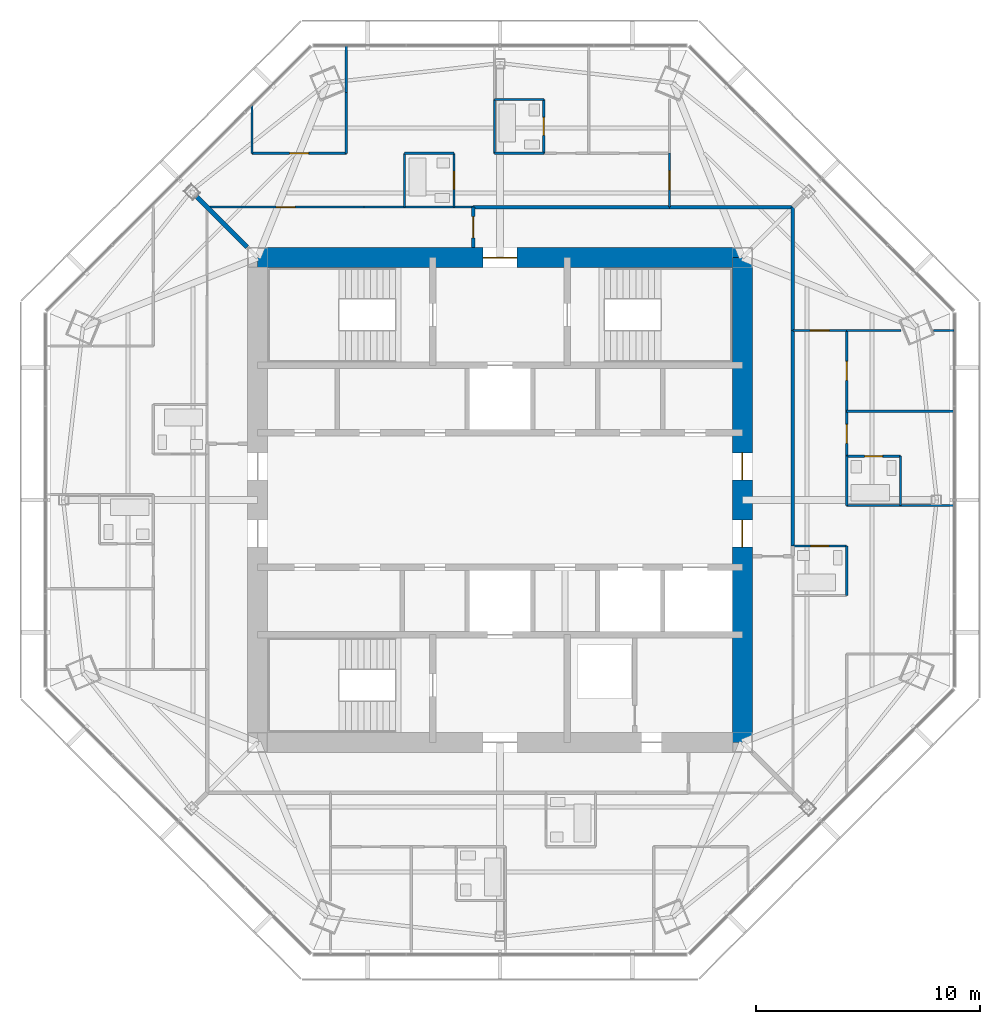
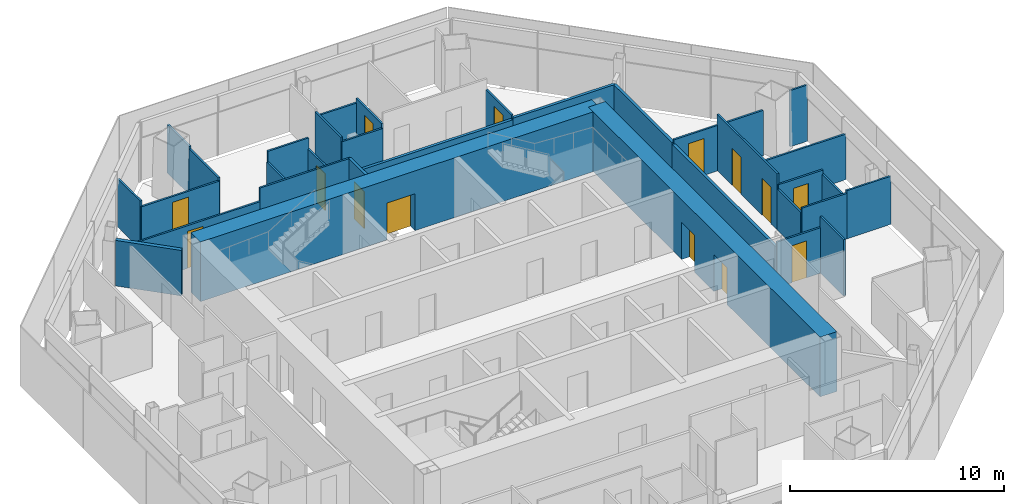
# One storey, part 12 of 15: 34 walls, 14 doors, 14 openings.
"""IFC4 building model written with IfcOpenShell, lengths in metres."""

from ifc_helpers import new_model, si_unit, direction, frame, frame_2d, origin, place, context, subcontext, project, spatial, rectangle, extrude, material, layer, layer_set, type_object, element, fill, save


model = new_model("IFC4")

# Units and contexts
model_context = context("Model", 3, precision=1e-05, world=origin(), true_north=direction((0.0, 1.0)))
body_context = subcontext(model_context, "Body", "Model", "MODEL_VIEW")
ifc_project = project(units=[si_unit("LENGTHUNIT", "METRE"), si_unit("AREAUNIT", "SQUARE_METRE"), si_unit("VOLUMEUNIT", "CUBIC_METRE"), si_unit("PLANEANGLEUNIT", "RADIAN"), si_unit("MASSUNIT", "GRAM", prefix="KILO")], contexts=[model_context])

# Site, building, storey
site_placement = place(None, origin())
site = spatial("IfcSite", under=ifc_project, at=site_placement, CompositionType="ELEMENT")
building_placement = place(site_placement, origin())
building = spatial("IfcBuilding", under=site, at=building_placement, Name="Mashrafa Tower", CompositionType="ELEMENT")
storey_placement = place(building_placement, frame((0.0, 0.0, 274.199951171875)))
storey = spatial("IfcBuildingStorey", under=building, at=storey_placement, Name="L66", CompositionType="ELEMENT", Elevation=274.199951171875)

# Wall
ifc_material_1 = material(Name="Gypsum board on steel studs", Category="steel")
ifc_layer_1 = layer(ifc_material_1, 0.199951171875)
ifc_layer_set_1 = layer_set([ifc_layer_1], Name="Acoustic partition 200 1 hr")
wall_type_1 = type_object("IfcWallType", Name="Acoustic partition 200 1 hr", PredefinedType="PARTITIONING", material=ifc_layer_set_1)
wall_1_placement = place(storey_placement, frame((-13.518310546875, 13.518310546875, 0.0), z_axis=(0.0, 0.0, 1.0), x_axis=(0.707106781187, -0.707106781187, 0.0)))
element("IfcWall", 1, at=wall_1_placement, inside=storey, type_object=wall_type_1, Name="Acoustic wall L66-067", PredefinedType="PARTITIONING", context=body_context, shape_type="SweptSolid", body=[
    extrude(rectangle(XDim=3.180908203125, YDim=0.199951171875, at=frame_2d((1.59033203125, 0.0))), origin(), (0.0, 0.0, 1.0), 2.590576171875),
])

# Wall, openings, doors
ifc_material_2 = material(Name="Concrete C50/60", Category="concrete")
ifc_layer_2 = layer(ifc_material_2, 0.89990234375)
ifc_layer_set_2 = layer_set([ifc_layer_2], Name="Core wall 900 C50/60")
wall_type_2 = type_object("IfcWallType", Name="Core wall 900 C50/60", PredefinedType="SOLIDWALL", material=ifc_layer_set_2)
wall_2_placement = place(storey_placement, frame((10.800048828125, -10.800048828125, 0.0), z_axis=(0.0, 0.0, 1.0), x_axis=(0.0, 1.0, 0.0)))
wall_2 = element("IfcWall", 2, at=wall_2_placement, inside=storey, type_object=wall_type_2, Name="Core wall CW-E L66", PredefinedType="SOLIDWALL", context=body_context, shape_type="SweptSolid", body=[
    extrude(rectangle(XDim=21.60009765625, YDim=0.89990234375, at=frame_2d((10.800048828125, 0.0))), origin(), (0.0, 0.0, 1.0), 3.400146484375),
])
opening_1_placement = place(wall_2_placement, frame((11.699951171875, 0.0, 0.0)))
opening_1 = element("IfcOpeningElement", 3, at=opening_1_placement, cuts=wall_2, Name="Opening 66.033", PredefinedType="OPENING", context=body_context, shape_type="SweptSolid", body=[
    extrude(rectangle(XDim=1.199951171875, YDim=2.10009765625, at=frame_2d((0.60009765625, 1.050048828125))), frame((0.0, 0.4599609375, 0.0), z_axis=(0.0, -1.0, 0.0), x_axis=(1.0, 0.0, 0.0)), (0.0, 0.0, 1.0), 0.919921875),
])
opening_2_placement = place(wall_2_placement, frame((8.699951171875, 0.0, 0.0)))
opening_2 = element("IfcOpeningElement", 4, at=opening_2_placement, cuts=wall_2, Name="Opening 66.035", PredefinedType="OPENING", context=body_context, shape_type="SweptSolid", body=[
    extrude(rectangle(XDim=1.199951171875, YDim=2.10009765625, at=frame_2d((0.60009765625, 1.050048828125))), frame((0.0, 0.4599609375, 0.0), z_axis=(0.0, -1.0, 0.0), x_axis=(1.0, 0.0, 0.0)), (0.0, 0.0, 1.0), 0.919921875),
])
ifc_material_3 = material(Name="Steel door", Category="steel")
door_type_1 = type_object("IfcDoorType", Name="Lift hall door 1200 x 2100 90 min", OperationType="USERDEFINED", PredefinedType="DOOR", material=ifc_material_3)
door_1_placement = place(opening_1_placement, frame((1.199951171875, 0.0, 0.0), z_axis=(0.0, 0.0, 1.0), x_axis=(-1.0, 0.0, 0.0)))
door_1 = element("IfcDoor", 5, at=door_1_placement, inside=storey, type_object=door_type_1, Name="Lift hall door east L66", OperationType="SINGLE_SWING_RIGHT", OverallHeight=2.10009765625, OverallWidth=1.199951171875, PredefinedType="DOOR", context=body_context, shape_type="SweptSolid", body=[
    extrude(rectangle(XDim=1.199951171875, YDim=2.10009765625, at=frame_2d((0.60009765625, 1.050048828125))), frame((0.0, 0.02490234375, 0.0), z_axis=(0.0, -1.0, 0.0), x_axis=(1.0, 0.0, 0.0)), (0.0, 0.0, 1.0), 0.050048828125),
])
fill(opening_1, door_1)
door_2_placement = place(opening_2_placement, origin())
door_2 = element("IfcDoor", 6, at=door_2_placement, inside=storey, type_object=door_type_1, Name="Lift hall door east L66", OperationType="SINGLE_SWING_LEFT", OverallHeight=2.10009765625, OverallWidth=1.199951171875, PredefinedType="DOOR", context=body_context, shape_type="SweptSolid", body=[
    extrude(rectangle(XDim=1.199951171875, YDim=2.10009765625, at=frame_2d((0.60009765625, 1.050048828125))), frame((0.0, 0.02490234375, 0.0), z_axis=(0.0, -1.0, 0.0), x_axis=(1.0, 0.0, 0.0)), (0.0, 0.0, 1.0), 0.050048828125),
])
fill(opening_2, door_2)

# Wall, opening, door
wall_3_placement = place(storey_placement, frame((10.800048828125, 10.800048828125, 0.0), z_axis=(0.0, 0.0, 1.0), x_axis=(-1.0, 0.0, 0.0)))
wall_3 = element("IfcWall", 7, at=wall_3_placement, inside=storey, type_object=wall_type_2, Name="Core wall CW-N L66", PredefinedType="SOLIDWALL", context=body_context, shape_type="SweptSolid", body=[
    extrude(rectangle(XDim=21.60009765625, YDim=0.89990234375, at=frame_2d((10.800048828125, 0.0))), origin(), (0.0, 0.0, 1.0), 3.400146484375),
])
opening_3_placement = place(wall_3_placement, frame((10.050048828125, 0.0, 0.0)))
opening_3 = element("IfcOpeningElement", 8, at=opening_3_placement, cuts=wall_3, Name="Opening 66.037", PredefinedType="OPENING", context=body_context, shape_type="SweptSolid", body=[
    extrude(rectangle(XDim=1.5, YDim=2.10009765625, at=frame_2d((0.75, 1.050048828125))), frame((0.0, 0.4599609375, 0.0), z_axis=(0.0, -1.0, 0.0), x_axis=(1.0, 0.0, 0.0)), (0.0, 0.0, 1.0), 0.919921875),
])
ifc_material_4 = material(Name="Steel door", Category="steel")
door_type_2 = type_object("IfcDoorType", Name="Lobby door pair 1500 x 2100 90 min", OperationType="DOUBLE_DOOR_SINGLE_SWING", PredefinedType="DOOR", material=ifc_material_4)
door_3_placement = place(opening_3_placement, origin())
door_3 = element("IfcDoor", 9, at=door_3_placement, inside=storey, type_object=door_type_2, Name="Fire-fighting lobby F1 door L66", OperationType="DOUBLE_DOOR_SINGLE_SWING", OverallHeight=2.10009765625, OverallWidth=1.5, PredefinedType="DOOR", context=body_context, shape_type="SweptSolid", body=[
    extrude(rectangle(XDim=1.5, YDim=2.10009765625, at=frame_2d((0.75, 1.050048828125))), frame((0.0, 0.02490234375, 0.0), z_axis=(0.0, -1.0, 0.0), x_axis=(1.0, 0.0, 0.0)), (0.0, 0.0, 1.0), 0.050048828125),
])
fill(opening_3, door_3)

# Walls
ifc_material_5 = material(Name="Gypsum board on steel studs", Category="steel")
ifc_layer_3 = layer(ifc_material_5, 0.14990234375)
ifc_layer_set_3 = layer_set([ifc_layer_3], Name="Corridor partition 150 1 hr")
wall_type_3 = type_object("IfcWallType", Name="Corridor partition 150 1 hr", PredefinedType="PARTITIONING", material=ifc_layer_set_3)
wall_4_placement = place(storey_placement, frame((13.050048828125, 7.549072265625, 0.0), z_axis=(0.0, 0.0, 1.0), x_axis=(0.0, 1.0, 0.0)))
element("IfcWall", 10, at=wall_4_placement, inside=storey, type_object=wall_type_3, Name="Corridor wall L66-002", PredefinedType="PARTITIONING", context=body_context, shape_type="SweptSolid", body=[
    extrude(rectangle(XDim=5.5009765625, YDim=0.14990234375, at=frame_2d((2.75048828125, 0.0))), origin(), (0.0, 0.0, 1.0), 2.427978515625),
])
wall_5_placement = place(storey_placement, frame((13.050048828125, -2.051025390625, 0.0), z_axis=(0.0, 0.0, 1.0), x_axis=(0.0, 1.0, 0.0)))
element("IfcWall", 11, at=wall_5_placement, inside=storey, type_object=wall_type_3, Name="Corridor wall L66-003", PredefinedType="PARTITIONING", context=body_context, shape_type="SweptSolid", body=[
    extrude(rectangle(XDim=9.60205078125, YDim=0.14990234375, at=frame_2d((4.801025390625, 0.0))), origin(), (0.0, 0.0, 1.0), 2.34423828125),
])
wall_6_placement = place(storey_placement, frame((13.050048828125, 13.050048828125, 0.0), z_axis=(0.0, 0.0, 1.0), x_axis=(-1.0, 0.0, 0.0)))
element("IfcWall", 12, at=wall_6_placement, inside=storey, type_object=wall_type_3, Name="Corridor wall L66-004", PredefinedType="PARTITIONING", context=body_context, shape_type="SweptSolid", body=[
    extrude(rectangle(XDim=5.5009765625, YDim=0.14990234375, at=frame_2d((2.75048828125, 0.0))), origin(), (0.0, 0.0, 1.0), 2.427978515625),
])
wall_7_placement = place(storey_placement, frame((7.551025390625, 13.050048828125, 0.0), z_axis=(0.0, 0.0, 1.0), x_axis=(-1.0, 0.0, 0.0)))
element("IfcWall", 13, at=wall_7_placement, inside=storey, type_object=wall_type_3, Name="Corridor wall L66-005", PredefinedType="PARTITIONING", context=body_context, shape_type="SweptSolid", body=[
    extrude(rectangle(XDim=8.7509765625, YDim=0.14990234375, at=frame_2d((4.37548828125, 0.0))), origin(), (0.0, 0.0, 1.0), 2.34423828125),
])

# Wall, opening, door
wall_8_placement = place(storey_placement, frame((-1.199951171875, 13.050048828125, 0.0), z_axis=(0.0, 0.0, 1.0), x_axis=(0.0, -1.0, 0.0)))
wall_8 = element("IfcWall", 14, at=wall_8_placement, inside=storey, type_object=wall_type_3, Name="Corridor wall L66-007", PredefinedType="PARTITIONING", context=body_context, shape_type="SweptSolid", body=[
    extrude(rectangle(XDim=1.800048828125, YDim=0.14990234375, at=frame_2d((0.89990234375, 0.0))), origin(), (0.0, 0.0, 1.0), 3.199951171875),
])
opening_4_placement = place(wall_8_placement, frame((0.425048828125, 0.0, 0.0)))
opening_4 = element("IfcOpeningElement", 15, at=opening_4_placement, cuts=wall_8, Name="Opening 66.031", PredefinedType="OPENING", context=body_context, shape_type="SweptSolid", body=[
    extrude(rectangle(XDim=0.949951171875, YDim=2.10009765625, at=frame_2d((0.47509765625, 1.050048828125))), frame((0.0, 0.0849609375, 0.0), z_axis=(0.0, -1.0, 0.0), x_axis=(1.0, 0.0, 0.0)), (0.0, 0.0, 1.0), 0.169921875),
])
ifc_material_6 = material(Name="Steel door", Category="steel")
door_type_3 = type_object("IfcDoorType", Name="Residence entrance door 950 x 2100 20 min", OperationType="USERDEFINED", PredefinedType="DOOR", material=ifc_material_6)
door_4_placement = place(opening_4_placement, origin())
door_4 = element("IfcDoor", 16, at=door_4_placement, inside=storey, type_object=door_type_3, Name="Apartment 6602 Entrance Hall door", OperationType="SINGLE_SWING_LEFT", OverallHeight=2.10009765625, OverallWidth=0.949951171875, PredefinedType="DOOR", context=body_context, shape_type="SweptSolid", body=[
    extrude(rectangle(XDim=0.949951171875, YDim=2.10009765625, at=frame_2d((0.47509765625, 1.050048828125))), frame((0.0, 0.02490234375, 0.0), z_axis=(0.0, -1.0, 0.0), x_axis=(1.0, 0.0, 0.0)), (0.0, 0.0, 1.0), 0.050048828125),
])
fill(opening_4, door_4)

# Wall
ifc_material_7 = material(Name="Gypsum board on steel studs", Category="steel")
ifc_layer_4 = layer(ifc_material_7, 0.10009765625)
ifc_layer_set_4 = layer_set([ifc_layer_4], Name="Partition 100")
wall_type_4 = type_object("IfcWallType", Name="Partition 100", PredefinedType="PARTITIONING", material=ifc_layer_set_4)
wall_9_placement = place(storey_placement, frame((-11.050048828125, 17.5751953125, 0.0), z_axis=(0.0, 0.0, 1.0), x_axis=(0.0, -1.0, 0.0)))
element("IfcWall", 17, at=wall_9_placement, inside=storey, type_object=wall_type_4, Name="Partition wall L66-021", PredefinedType="PARTITIONING", context=body_context, shape_type="SweptSolid", body=[
    extrude(rectangle(XDim=2.125244140625, YDim=0.10009765625, at=frame_2d((1.0625, 0.0))), origin(), (0.0, 0.0, 1.0), 2.740478515625),
])

# Wall, opening, door
wall_10_placement = place(storey_placement, frame((-11.050048828125, 15.449951171875, 0.0), z_axis=(0.0, 0.0, 1.0), x_axis=(1.0, 0.0, 0.0)))
wall_10 = element("IfcWall", 18, at=wall_10_placement, inside=storey, type_object=wall_type_4, Name="Partition wall L66-022", PredefinedType="PARTITIONING", context=body_context, shape_type="SweptSolid", body=[
    extrude(rectangle(XDim=4.199951171875, YDim=0.10009765625, at=frame_2d((2.10009765625, 0.0))), origin(), (0.0, 0.0, 1.0), 2.427978515625),
])
opening_5_placement = place(wall_10_placement, frame((1.675048828125, 0.0, 0.0)))
opening_5 = element("IfcOpeningElement", 19, at=opening_5_placement, cuts=wall_10, Name="Opening 66.002", PredefinedType="OPENING", context=body_context, shape_type="SweptSolid", body=[
    extrude(rectangle(XDim=0.85009765625, YDim=2.10009765625, at=frame_2d((0.425048828125, 1.050048828125))), frame((0.0, 0.06005859375, 0.0), z_axis=(0.0, -1.0, 0.0), x_axis=(1.0, 0.0, 0.0)), (0.0, 0.0, 1.0), 0.1201171875),
])
ifc_material_8 = material(Name="Timber door", Category="wood")
door_type_4 = type_object("IfcDoorType", Name="Bedroom door 850 x 2100", OperationType="USERDEFINED", PredefinedType="DOOR", material=ifc_material_8)
door_5_placement = place(opening_5_placement, origin())
door_5 = element("IfcDoor", 20, at=door_5_placement, inside=storey, type_object=door_type_4, Name="Apartment 6602 Dining Room door", OperationType="SINGLE_SWING_LEFT", OverallHeight=2.10009765625, OverallWidth=0.85009765625, PredefinedType="DOOR", context=body_context, shape_type="SweptSolid", body=[
    extrude(rectangle(XDim=0.85009765625, YDim=2.10009765625, at=frame_2d((0.425048828125, 1.050048828125))), frame((0.0, 0.02490234375, 0.0), z_axis=(0.0, -1.0, 0.0), x_axis=(1.0, 0.0, 0.0)), (0.0, 0.0, 1.0), 0.050048828125),
])
fill(opening_5, door_5)

# Walls
wall_11_placement = place(storey_placement, frame((-6.85009765625, 15.449951171875, 0.0), z_axis=(0.0, 0.0, 1.0), x_axis=(0.0, 1.0, 0.0)))
element("IfcWall", 21, at=wall_11_placement, inside=storey, type_object=wall_type_4, Name="Partition wall L66-023", PredefinedType="PARTITIONING", context=body_context, shape_type="SweptSolid", body=[
    extrude(rectangle(XDim=2.697265625, YDim=0.10009765625, at=frame_2d((1.3486328125, 0.0))), origin(), (0.0, 0.0, 1.0), 2.590576171875),
])
wall_12_placement = place(storey_placement, frame((-6.85009765625, 18.15478515625, 0.0), z_axis=(0.0, 0.0, 1.0), x_axis=(0.0, 1.0, 0.0)))
element("IfcWall", 22, at=wall_12_placement, inside=storey, type_object=wall_type_4, Name="Partition wall L66-024", PredefinedType="PARTITIONING", context=body_context, shape_type="SweptSolid", body=[
    extrude(rectangle(XDim=2.085205078125, YDim=0.10009765625, at=frame_2d((1.04248046875, 0.0))), origin(), (0.0, 0.0, 1.0), 2.740478515625),
])
wall_13_placement = place(storey_placement, frame((15.449951171875, -4.25, 0.0), z_axis=(0.0, 0.0, 1.0), x_axis=(0.0, 1.0, 0.0)))
element("IfcWall", 23, at=wall_13_placement, inside=storey, type_object=wall_type_4, Name="Partition wall L66-034", PredefinedType="PARTITIONING", context=body_context, shape_type="SweptSolid", body=[
    extrude(rectangle(XDim=2.199951171875, YDim=0.10009765625, at=frame_2d((1.10009765625, 0.0))), origin(), (0.0, 0.0, 1.0), 3.199951171875),
])

# Wall, opening, door
wall_14_placement = place(storey_placement, frame((15.449951171875, -2.050048828125, 0.0), z_axis=(0.0, 0.0, 1.0), x_axis=(-1.0, 0.0, 0.0)))
wall_14 = element("IfcWall", 24, at=wall_14_placement, inside=storey, type_object=wall_type_4, Name="Partition wall L66-035", PredefinedType="PARTITIONING", context=body_context, shape_type="SweptSolid", body=[
    extrude(rectangle(XDim=2.39990234375, YDim=0.10009765625, at=frame_2d((1.199951171875, 0.0))), origin(), (0.0, 0.0, 1.0), 2.590576171875),
])
opening_6_placement = place(wall_14_placement, frame((0.800048828125, 0.0, 0.0)))
opening_6 = element("IfcOpeningElement", 25, at=opening_6_placement, cuts=wall_14, Name="Opening 66.005", PredefinedType="OPENING", context=body_context, shape_type="SweptSolid", body=[
    extrude(rectangle(XDim=0.800048828125, YDim=2.10009765625, at=frame_2d((0.39990234375, 1.050048828125))), frame((0.0, 0.06005859375, 0.0), z_axis=(0.0, -1.0, 0.0), x_axis=(1.0, 0.0, 0.0)), (0.0, 0.0, 1.0), 0.1201171875),
])
ifc_material_9 = material(Name="Timber door", Category="wood")
door_type_5 = type_object("IfcDoorType", Name="Bathroom door 800 x 2100", OperationType="USERDEFINED", PredefinedType="DOOR", material=ifc_material_9)
door_6_placement = place(opening_6_placement, origin())
door_6 = element("IfcDoor", 26, at=door_6_placement, inside=storey, type_object=door_type_5, Name="Apartment 6601 Bathroom door", OperationType="SINGLE_SWING_RIGHT", OverallHeight=2.10009765625, OverallWidth=0.800048828125, PredefinedType="DOOR", context=body_context, shape_type="SweptSolid", body=[
    extrude(rectangle(XDim=0.800048828125, YDim=2.10009765625, at=frame_2d((0.39990234375, 1.050048828125))), frame((0.0, 0.02490234375, 0.0), z_axis=(0.0, -1.0, 0.0), x_axis=(1.0, 0.0, 0.0)), (0.0, 0.0, 1.0), 0.050048828125),
])
fill(opening_6, door_6)

# Wall
wall_15_placement = place(storey_placement, frame((17.85009765625, -0.25, 0.0), z_axis=(0.0, 0.0, 1.0), x_axis=(0.0, 1.0, 0.0)))
element("IfcWall", 27, at=wall_15_placement, inside=storey, type_object=wall_type_4, Name="Partition wall L66-037", PredefinedType="PARTITIONING", context=body_context, shape_type="SweptSolid", body=[
    extrude(rectangle(XDim=2.199951171875, YDim=0.10009765625, at=frame_2d((1.10009765625, 0.0))), origin(), (0.0, 0.0, 1.0), 2.34423828125),
])

# Wall, opening, door
wall_16_placement = place(storey_placement, frame((17.85009765625, 1.949951171875, 0.0), z_axis=(0.0, 0.0, 1.0), x_axis=(-1.0, 0.0, 0.0)))
wall_16 = element("IfcWall", 28, at=wall_16_placement, inside=storey, type_object=wall_type_4, Name="Partition wall L66-038", PredefinedType="PARTITIONING", context=body_context, shape_type="SweptSolid", body=[
    extrude(rectangle(XDim=2.400146484375, YDim=0.10009765625, at=frame_2d((1.2001953125, 0.0))), origin(), (0.0, 0.0, 1.0), 2.590576171875),
])
opening_7_placement = place(wall_16_placement, frame((0.800048828125, 0.0, 0.0)))
opening_7 = element("IfcOpeningElement", 29, at=opening_7_placement, cuts=wall_16, Name="Opening 66.006", PredefinedType="OPENING", context=body_context, shape_type="SweptSolid", body=[
    extrude(rectangle(XDim=0.800048828125, YDim=2.10009765625, at=frame_2d((0.39990234375, 1.050048828125))), frame((0.0, 0.06005859375, 0.0), z_axis=(0.0, -1.0, 0.0), x_axis=(1.0, 0.0, 0.0)), (0.0, 0.0, 1.0), 0.1201171875),
])
door_7_placement = place(opening_7_placement, origin())
door_7 = element("IfcDoor", 30, at=door_7_placement, inside=storey, type_object=door_type_5, Name="Apartment 6601 En-suite Bathroom door", OperationType="SINGLE_SWING_LEFT", OverallHeight=2.10009765625, OverallWidth=0.800048828125, PredefinedType="DOOR", context=body_context, shape_type="SweptSolid", body=[
    extrude(rectangle(XDim=0.800048828125, YDim=2.10009765625, at=frame_2d((0.39990234375, 1.050048828125))), frame((0.0, 0.02490234375, 0.0), z_axis=(0.0, -1.0, 0.0), x_axis=(1.0, 0.0, 0.0)), (0.0, 0.0, 1.0), 0.050048828125),
])
fill(opening_7, door_7)

# Walls
wall_17_placement = place(storey_placement, frame((15.449951171875, 1.949951171875, 0.0), z_axis=(0.0, 0.0, 1.0), x_axis=(0.0, -1.0, 0.0)))
element("IfcWall", 31, at=wall_17_placement, inside=storey, type_object=wall_type_4, Name="Partition wall L66-039", PredefinedType="PARTITIONING", context=body_context, shape_type="SweptSolid", body=[
    extrude(rectangle(XDim=2.199951171875, YDim=0.10009765625, at=frame_2d((1.10009765625, 0.0))), origin(), (0.0, 0.0, 1.0), 2.34423828125),
])
wall_18_placement = place(storey_placement, frame((15.449951171875, -0.25, 0.0), z_axis=(0.0, 0.0, 1.0), x_axis=(1.0, 0.0, 0.0)))
element("IfcWall", 32, at=wall_18_placement, inside=storey, type_object=wall_type_4, Name="Partition wall L66-040", PredefinedType="PARTITIONING", context=body_context, shape_type="SweptSolid", body=[
    extrude(rectangle(XDim=2.400146484375, YDim=0.10009765625, at=frame_2d((1.2001953125, 0.0))), origin(), (0.0, 0.0, 1.0), 2.590576171875),
])
wall_19_placement = place(storey_placement, frame((20.239990234375, 3.949951171875, 0.0), z_axis=(0.0, 0.0, 1.0), x_axis=(-1.0, 0.0, 0.0)))
element("IfcWall", 33, at=wall_19_placement, inside=storey, type_object=wall_type_4, Name="Partition wall L66-041", PredefinedType="PARTITIONING", context=body_context, shape_type="SweptSolid", body=[
    extrude(rectangle(XDim=4.7900390625, YDim=0.10009765625, at=frame_2d((2.39501953125, 0.0))), origin(), (0.0, 0.0, 1.0), 2.590576171875),
])

# Wall, openings, doors
wall_20_placement = place(storey_placement, frame((15.449951171875, 1.949951171875, 0.0), z_axis=(0.0, 0.0, 1.0), x_axis=(0.0, 1.0, 0.0)))
wall_20 = element("IfcWall", 34, at=wall_20_placement, inside=storey, type_object=wall_type_4, Name="Partition wall L66-042", PredefinedType="PARTITIONING", context=body_context, shape_type="SweptSolid", body=[
    extrude(rectangle(XDim=5.60009765625, YDim=0.10009765625, at=frame_2d((2.800048828125, 0.0))), origin(), (0.0, 0.0, 1.0), 3.199951171875),
])
opening_8_placement = place(wall_20_placement, frame((0.574951171875, 0.0, 0.0)))
opening_8 = element("IfcOpeningElement", 35, at=opening_8_placement, cuts=wall_20, Name="Opening 66.007", PredefinedType="OPENING", context=body_context, shape_type="SweptSolid", body=[
    extrude(rectangle(XDim=0.85009765625, YDim=2.10009765625, at=frame_2d((0.425048828125, 1.050048828125))), frame((0.0, 0.06005859375, 0.0), z_axis=(0.0, -1.0, 0.0), x_axis=(1.0, 0.0, 0.0)), (0.0, 0.0, 1.0), 0.1201171875),
])
opening_9_placement = place(wall_20_placement, frame((3.375, 0.0, 0.0)))
opening_9 = element("IfcOpeningElement", 36, at=opening_9_placement, cuts=wall_20, Name="Opening 66.008", PredefinedType="OPENING", context=body_context, shape_type="SweptSolid", body=[
    extrude(rectangle(XDim=0.85009765625, YDim=2.10009765625, at=frame_2d((0.425048828125, 1.050048828125))), frame((0.0, 0.06005859375, 0.0), z_axis=(0.0, -1.0, 0.0), x_axis=(1.0, 0.0, 0.0)), (0.0, 0.0, 1.0), 0.1201171875),
])
door_8_placement = place(opening_8_placement, frame((0.85009765625, 0.0, 0.0), z_axis=(0.0, 0.0, 1.0), x_axis=(-1.0, 0.0, 0.0)))
door_8 = element("IfcDoor", 37, at=door_8_placement, inside=storey, type_object=door_type_4, Name="Apartment 6601 Bedroom 1 door", OperationType="SINGLE_SWING_LEFT", OverallHeight=2.10009765625, OverallWidth=0.85009765625, PredefinedType="DOOR", context=body_context, shape_type="SweptSolid", body=[
    extrude(rectangle(XDim=0.85009765625, YDim=2.10009765625, at=frame_2d((0.425048828125, 1.050048828125))), frame((0.0, 0.02490234375, 0.0), z_axis=(0.0, -1.0, 0.0), x_axis=(1.0, 0.0, 0.0)), (0.0, 0.0, 1.0), 0.050048828125),
])
fill(opening_8, door_8)
door_9_placement = place(opening_9_placement, frame((0.85009765625, 0.0, 0.0), z_axis=(0.0, 0.0, 1.0), x_axis=(-1.0, 0.0, 0.0)))
door_9 = element("IfcDoor", 38, at=door_9_placement, inside=storey, type_object=door_type_4, Name="Apartment 6601 Bedroom 2 door", OperationType="SINGLE_SWING_LEFT", OverallHeight=2.10009765625, OverallWidth=0.85009765625, PredefinedType="DOOR", context=body_context, shape_type="SweptSolid", body=[
    extrude(rectangle(XDim=0.85009765625, YDim=2.10009765625, at=frame_2d((0.425048828125, 1.050048828125))), frame((0.0, 0.02490234375, 0.0), z_axis=(0.0, -1.0, 0.0), x_axis=(1.0, 0.0, 0.0)), (0.0, 0.0, 1.0), 0.050048828125),
])
fill(opening_9, door_9)

# Walls
wall_21_placement = place(storey_placement, frame((17.85009765625, -0.25, 0.0), z_axis=(0.0, 0.0, 1.0), x_axis=(1.0, 0.0, 0.0)))
element("IfcWall", 39, at=wall_21_placement, inside=storey, type_object=wall_type_4, Name="Partition wall L66-043", PredefinedType="PARTITIONING", context=body_context, shape_type="SweptSolid", body=[
    extrude(rectangle(XDim=2.389892578125, YDim=0.10009765625, at=frame_2d((1.19482421875, 0.0))), origin(), (0.0, 0.0, 1.0), 2.740478515625),
])
wall_22_placement = place(storey_placement, frame((20.239990234375, 7.550048828125, 0.0), z_axis=(0.0, 0.0, 1.0), x_axis=(-1.0, 0.0, 0.0)))
element("IfcWall", 40, at=wall_22_placement, inside=storey, type_object=wall_type_4, Name="Partition wall L66-044", PredefinedType="PARTITIONING", context=body_context, shape_type="SweptSolid", body=[
    extrude(rectangle(XDim=0.929443359375, YDim=0.10009765625, at=frame_2d((0.46484375, 0.0))), origin(), (0.0, 0.0, 1.0), 3.199951171875),
])
wall_23_placement = place(storey_placement, frame((17.857421875, 7.550048828125, 0.0), z_axis=(0.0, 0.0, 1.0), x_axis=(-1.0, 0.0, 0.0)))
element("IfcWall", 41, at=wall_23_placement, inside=storey, type_object=wall_type_4, Name="Partition wall L66-045", PredefinedType="PARTITIONING", context=body_context, shape_type="SweptSolid", body=[
    extrude(rectangle(XDim=2.407470703125, YDim=0.10009765625, at=frame_2d((1.20361328125, 0.0))), origin(), (0.0, 0.0, 1.0), 2.590576171875),
])

# Wall, opening, door
wall_24_placement = place(storey_placement, frame((13.050048828125, 7.550048828125, 0.0), z_axis=(0.0, 0.0, 1.0), x_axis=(1.0, 0.0, 0.0)))
wall_24 = element("IfcWall", 42, at=wall_24_placement, inside=storey, type_object=wall_type_4, Name="Partition wall L66-047", PredefinedType="PARTITIONING", context=body_context, shape_type="SweptSolid", body=[
    extrude(rectangle(XDim=2.40087890625, YDim=0.10009765625, at=frame_2d((1.200439453125, 0.0))), origin(), (0.0, 0.0, 1.0), 2.590576171875),
])
opening_10_placement = place(wall_24_placement, frame((0.775390625, 0.0, 0.0)))
opening_10 = element("IfcOpeningElement", 43, at=opening_10_placement, cuts=wall_24, Name="Opening 66.009", PredefinedType="OPENING", context=body_context, shape_type="SweptSolid", body=[
    extrude(rectangle(XDim=0.85009765625, YDim=2.10009765625, at=frame_2d((0.425048828125, 1.050048828125))), frame((0.0, 0.06005859375, 0.0), z_axis=(0.0, -1.0, 0.0), x_axis=(1.0, 0.0, 0.0)), (0.0, 0.0, 1.0), 0.1201171875),
])
door_10_placement = place(opening_10_placement, origin())
door_10 = element("IfcDoor", 44, at=door_10_placement, inside=storey, type_object=door_type_4, Name="Apartment 6601 Bedroom 3 door", OperationType="SINGLE_SWING_LEFT", OverallHeight=2.10009765625, OverallWidth=0.85009765625, PredefinedType="DOOR", context=body_context, shape_type="SweptSolid", body=[
    extrude(rectangle(XDim=0.85009765625, YDim=2.10009765625, at=frame_2d((0.425048828125, 1.050048828125))), frame((0.0, 0.02490234375, 0.0), z_axis=(0.0, -1.0, 0.0), x_axis=(1.0, 0.0, 0.0)), (0.0, 0.0, 1.0), 0.050048828125),
])
fill(opening_10, door_10)

# Walls
wall_25_placement = place(storey_placement, frame((-4.25, 13.050048828125, 0.0), z_axis=(0.0, 0.0, 1.0), x_axis=(0.0, 1.0, 0.0)))
element("IfcWall", 45, at=wall_25_placement, inside=storey, type_object=wall_type_4, Name="Partition wall L66-051", PredefinedType="PARTITIONING", context=body_context, shape_type="SweptSolid", body=[
    extrude(rectangle(XDim=2.39990234375, YDim=0.10009765625, at=frame_2d((1.199951171875, 0.0))), origin(), (0.0, 0.0, 1.0), 2.590576171875),
])
wall_26_placement = place(storey_placement, frame((-6.050048828125, 13.050048828125, 0.0), z_axis=(0.0, 0.0, 1.0), x_axis=(1.0, 0.0, 0.0)))
element("IfcWall", 46, at=wall_26_placement, inside=storey, type_object=wall_type_4, Name="Partition wall L66-052", PredefinedType="PARTITIONING", context=body_context, shape_type="SweptSolid", body=[
    extrude(rectangle(XDim=4.85107421875, YDim=0.10009765625, at=frame_2d((2.425537109375, 0.0))), origin(), (0.0, 0.0, 1.0), 3.199951171875),
])

# Wall, opening, door
wall_27_placement = place(storey_placement, frame((-2.050048828125, 13.050048828125, 0.0), z_axis=(0.0, 0.0, 1.0), x_axis=(0.0, 1.0, 0.0)))
wall_27 = element("IfcWall", 47, at=wall_27_placement, inside=storey, type_object=wall_type_4, Name="Partition wall L66-053", PredefinedType="PARTITIONING", context=body_context, shape_type="SweptSolid", body=[
    extrude(rectangle(XDim=2.39990234375, YDim=0.10009765625, at=frame_2d((1.199951171875, 0.0))), origin(), (0.0, 0.0, 1.0), 2.590576171875),
])
opening_11_placement = place(wall_27_placement, frame((0.800048828125, 0.0, 0.0)))
opening_11 = element("IfcOpeningElement", 48, at=opening_11_placement, cuts=wall_27, Name="Opening 66.011", PredefinedType="OPENING", context=body_context, shape_type="SweptSolid", body=[
    extrude(rectangle(XDim=0.800048828125, YDim=2.10009765625, at=frame_2d((0.39990234375, 1.050048828125))), frame((0.0, 0.06005859375, 0.0), z_axis=(0.0, -1.0, 0.0), x_axis=(1.0, 0.0, 0.0)), (0.0, 0.0, 1.0), 0.1201171875),
])
door_11_placement = place(opening_11_placement, origin())
door_11 = element("IfcDoor", 49, at=door_11_placement, inside=storey, type_object=door_type_5, Name="Apartment 6602 Bathroom door", OperationType="SINGLE_SWING_RIGHT", OverallHeight=2.10009765625, OverallWidth=0.800048828125, PredefinedType="DOOR", context=body_context, shape_type="SweptSolid", body=[
    extrude(rectangle(XDim=0.800048828125, YDim=2.10009765625, at=frame_2d((0.39990234375, 1.050048828125))), frame((0.0, 0.02490234375, 0.0), z_axis=(0.0, -1.0, 0.0), x_axis=(1.0, 0.0, 0.0)), (0.0, 0.0, 1.0), 0.050048828125),
])
fill(opening_11, door_11)

# Wall
wall_28_placement = place(storey_placement, frame((-2.050048828125, 15.449951171875, 0.0), z_axis=(0.0, 0.0, 1.0), x_axis=(-1.0, 0.0, 0.0)))
element("IfcWall", 50, at=wall_28_placement, inside=storey, type_object=wall_type_4, Name="Partition wall L66-054", PredefinedType="PARTITIONING", context=body_context, shape_type="SweptSolid", body=[
    extrude(rectangle(XDim=2.199951171875, YDim=0.10009765625, at=frame_2d((1.10009765625, 0.0))), origin(), (0.0, 0.0, 1.0), 3.199951171875),
])

# Wall, opening, door
wall_29_placement = place(storey_placement, frame((1.949951171875, 15.449951171875, 0.0), z_axis=(0.0, 0.0, 1.0), x_axis=(0.0, 1.0, 0.0)))
wall_29 = element("IfcWall", 51, at=wall_29_placement, inside=storey, type_object=wall_type_4, Name="Partition wall L66-056", PredefinedType="PARTITIONING", context=body_context, shape_type="SweptSolid", body=[
    extrude(rectangle(XDim=2.400146484375, YDim=0.10009765625, at=frame_2d((1.2001953125, 0.0))), origin(), (0.0, 0.0, 1.0), 2.590576171875),
])
opening_12_placement = place(wall_29_placement, frame((0.800048828125, 0.0, 0.0)))
opening_12 = element("IfcOpeningElement", 52, at=opening_12_placement, cuts=wall_29, Name="Opening 66.012", PredefinedType="OPENING", context=body_context, shape_type="SweptSolid", body=[
    extrude(rectangle(XDim=0.800048828125, YDim=2.10009765625, at=frame_2d((0.39990234375, 1.050048828125))), frame((0.0, 0.06005859375, 0.0), z_axis=(0.0, -1.0, 0.0), x_axis=(1.0, 0.0, 0.0)), (0.0, 0.0, 1.0), 0.1201171875),
])
door_12_placement = place(opening_12_placement, origin())
door_12 = element("IfcDoor", 53, at=door_12_placement, inside=storey, type_object=door_type_5, Name="Apartment 6602 En-suite Bathroom door", OperationType="SINGLE_SWING_RIGHT", OverallHeight=2.10009765625, OverallWidth=0.800048828125, PredefinedType="DOOR", context=body_context, shape_type="SweptSolid", body=[
    extrude(rectangle(XDim=0.800048828125, YDim=2.10009765625, at=frame_2d((0.39990234375, 1.050048828125))), frame((0.0, 0.02490234375, 0.0), z_axis=(0.0, -1.0, 0.0), x_axis=(1.0, 0.0, 0.0)), (0.0, 0.0, 1.0), 0.050048828125),
])
fill(opening_12, door_12)

# Walls
wall_30_placement = place(storey_placement, frame((1.949951171875, 17.85009765625, 0.0), z_axis=(0.0, 0.0, 1.0), x_axis=(-1.0, 0.0, 0.0)))
element("IfcWall", 54, at=wall_30_placement, inside=storey, type_object=wall_type_4, Name="Partition wall L66-057", PredefinedType="PARTITIONING", context=body_context, shape_type="SweptSolid", body=[
    extrude(rectangle(XDim=2.199951171875, YDim=0.10009765625, at=frame_2d((1.10009765625, 0.0))), origin(), (0.0, 0.0, 1.0), 2.34423828125),
])
wall_31_placement = place(storey_placement, frame((-0.25, 17.85009765625, 0.0), z_axis=(0.0, 0.0, 1.0), x_axis=(0.0, -1.0, 0.0)))
element("IfcWall", 55, at=wall_31_placement, inside=storey, type_object=wall_type_4, Name="Partition wall L66-058", PredefinedType="PARTITIONING", context=body_context, shape_type="SweptSolid", body=[
    extrude(rectangle(XDim=2.400146484375, YDim=0.10009765625, at=frame_2d((1.2001953125, 0.0))), origin(), (0.0, 0.0, 1.0), 2.590576171875),
])
wall_32_placement = place(storey_placement, frame((-0.25, 15.449951171875, 0.0), z_axis=(0.0, 0.0, 1.0), x_axis=(1.0, 0.0, 0.0)))
element("IfcWall", 56, at=wall_32_placement, inside=storey, type_object=wall_type_4, Name="Partition wall L66-059", PredefinedType="PARTITIONING", context=body_context, shape_type="SweptSolid", body=[
    extrude(rectangle(XDim=2.199951171875, YDim=0.10009765625, at=frame_2d((1.10009765625, 0.0))), origin(), (0.0, 0.0, 1.0), 2.34423828125),
])

# Wall, opening, door
wall_33_placement = place(storey_placement, frame((7.550048828125, 15.450927734375, 0.0), z_axis=(0.0, 0.0, 1.0), x_axis=(0.0, -1.0, 0.0)))
wall_33 = element("IfcWall", 57, at=wall_33_placement, inside=storey, type_object=wall_type_4, Name="Partition wall L66-066", PredefinedType="PARTITIONING", context=body_context, shape_type="SweptSolid", body=[
    extrude(rectangle(XDim=2.40087890625, YDim=0.10009765625, at=frame_2d((1.200439453125, 0.0))), origin(), (0.0, 0.0, 1.0), 2.590576171875),
])
opening_13_placement = place(wall_33_placement, frame((0.775390625, 0.0, 0.0)))
opening_13 = element("IfcOpeningElement", 58, at=opening_13_placement, cuts=wall_33, Name="Opening 66.015", PredefinedType="OPENING", context=body_context, shape_type="SweptSolid", body=[
    extrude(rectangle(XDim=0.85009765625, YDim=2.10009765625, at=frame_2d((0.425048828125, 1.050048828125))), frame((0.0, 0.06005859375, 0.0), z_axis=(0.0, -1.0, 0.0), x_axis=(1.0, 0.0, 0.0)), (0.0, 0.0, 1.0), 0.1201171875),
])
door_13_placement = place(opening_13_placement, origin())
door_13 = element("IfcDoor", 59, at=door_13_placement, inside=storey, type_object=door_type_4, Name="Apartment 6602 Bedroom 3 door", OperationType="SINGLE_SWING_RIGHT", OverallHeight=2.10009765625, OverallWidth=0.85009765625, PredefinedType="DOOR", context=body_context, shape_type="SweptSolid", body=[
    extrude(rectangle(XDim=0.85009765625, YDim=2.10009765625, at=frame_2d((0.425048828125, 1.050048828125))), frame((0.0, 0.02490234375, 0.0), z_axis=(0.0, -1.0, 0.0), x_axis=(1.0, 0.0, 0.0)), (0.0, 0.0, 1.0), 0.050048828125),
])
fill(opening_13, door_13)

wall_34_placement = place(storey_placement, frame((-13.050048828125, 13.050048828125, 0.0), z_axis=(0.0, 0.0, 1.0), x_axis=(1.0, 0.0, 0.0)))
wall_34 = element("IfcWall", 60, at=wall_34_placement, inside=storey, type_object=wall_type_4, Name="Partition wall L66-068", PredefinedType="PARTITIONING", context=body_context, shape_type="SweptSolid", body=[
    extrude(rectangle(XDim=7.0, YDim=0.10009765625, at=frame_2d((3.5, 0.0))), origin(), (0.0, 0.0, 1.0), 2.427978515625),
])
opening_14_placement = place(wall_34_placement, frame((3.074951171875, 0.0, 0.0)))
opening_14 = element("IfcOpeningElement", 61, at=opening_14_placement, cuts=wall_34, Name="Opening 66.016", PredefinedType="OPENING", context=body_context, shape_type="SweptSolid", body=[
    extrude(rectangle(XDim=0.85009765625, YDim=2.10009765625, at=frame_2d((0.425048828125, 1.050048828125))), frame((0.0, 0.06005859375, 0.0), z_axis=(0.0, -1.0, 0.0), x_axis=(1.0, 0.0, 0.0)), (0.0, 0.0, 1.0), 0.1201171875),
])
door_14_placement = place(opening_14_placement, origin())
door_14 = element("IfcDoor", 62, at=door_14_placement, inside=storey, type_object=door_type_4, Name="Apartment 6602 Living Room door", OperationType="SINGLE_SWING_LEFT", OverallHeight=2.10009765625, OverallWidth=0.85009765625, PredefinedType="DOOR", context=body_context, shape_type="SweptSolid", body=[
    extrude(rectangle(XDim=0.85009765625, YDim=2.10009765625, at=frame_2d((0.425048828125, 1.050048828125))), frame((0.0, 0.02490234375, 0.0), z_axis=(0.0, -1.0, 0.0), x_axis=(1.0, 0.0, 0.0)), (0.0, 0.0, 1.0), 0.050048828125),
])
fill(opening_14, door_14)

save(model, "model.ifc")
